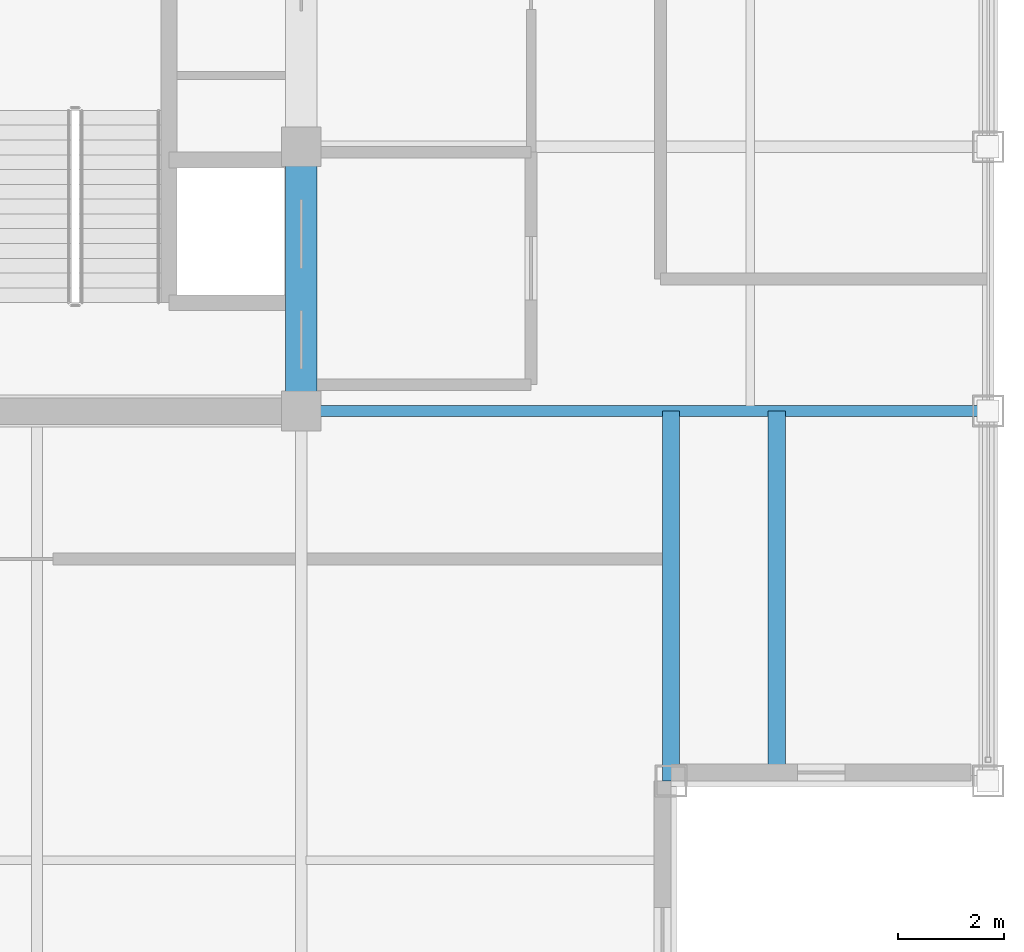
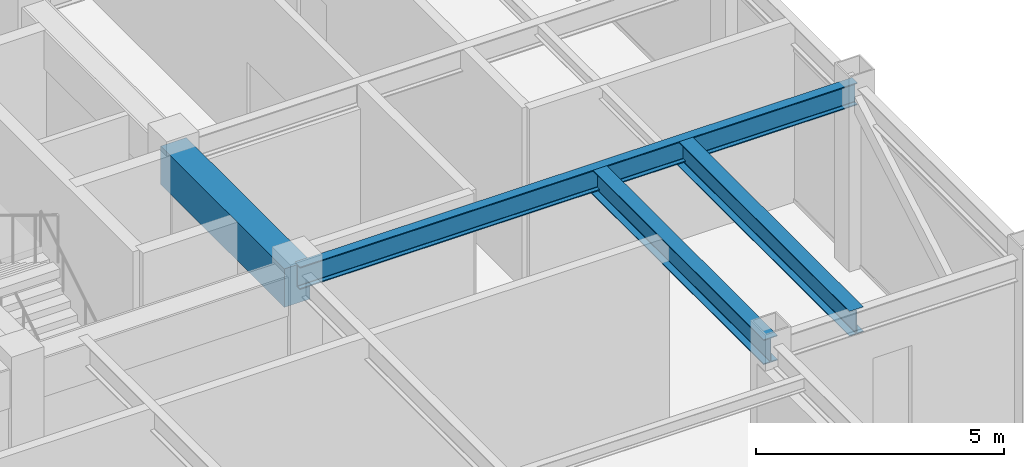
# One storey, part 9 of 27: 4 beams.
"""IFC4 building model written with IfcOpenShell, lengths in metres."""

from ifc_helpers import new_model, si_unit, direction, frame, origin, origin_2d, place, context, subcontext, project, spatial, rectangle, i_section, extrude, source, transform, mapped, material, material_profile, profile_set, type_object, element, save


model = new_model("IFC4")

# Units and contexts
model_context = context("Model", 3, precision=1e-05, world=origin(), true_north=direction((0.0, 1.0)))
body_context = subcontext(model_context, "Body", "Model", "MODEL_VIEW")
ifc_project = project(units=[si_unit("LENGTHUNIT", "METRE"), si_unit("AREAUNIT", "SQUARE_METRE"), si_unit("VOLUMEUNIT", "CUBIC_METRE"), si_unit("PLANEANGLEUNIT", "RADIAN"), si_unit("MASSUNIT", "GRAM", prefix="KILO")], contexts=[model_context])

# Site, building, storey
site_placement = place(None, origin())
site = spatial("IfcSite", under=ifc_project, at=site_placement, CompositionType="ELEMENT")
building_placement = place(site_placement, origin())
building = spatial("IfcBuilding", under=site, at=building_placement, Name="Khorayat Bourse Tower", CompositionType="ELEMENT")
storey_placement = place(building_placement, frame((0.0, 0.0, 380.300048828125)))
storey = spatial("IfcBuildingStorey", under=building, at=storey_placement, Name="L90", CompositionType="ELEMENT", Elevation=380.300048828125)

# Beams
ifc_material_1 = material(Name="Concrete C60/75", Category="concrete")
ifc_material_profile_1 = material_profile(ifc_material_1, rectangle(XDim=0.60009765625, YDim=0.949951171875, at=origin_2d()), Name="RC 600x950")
ifc_profile_set_1 = profile_set([ifc_material_profile_1], Name="Concrete C60/75")
beam_type_1 = type_object("IfcBeamType", Name="BM-COUP-950", PredefinedType="BEAM", material=ifc_profile_set_1)
shared_shape_1 = source(origin(), body_context, "Body", "SweptSolid", [
    extrude(rectangle(XDim=0.60009765625, YDim=0.949951171875, at=origin_2d()), origin(), (0.0, 0.0, 1.0), 5.0),
])
beam_1_placement = place(storey_placement, frame((11.0, -11.0, 3.974853515625), z_axis=(0.0, 1.0, 0.0), x_axis=(-1.0, 0.0, 0.0)))
element("IfcBeam", 1, at=beam_1_placement, inside=storey, type_object=beam_type_1, Name="L90 BM-COUP-950 BM-L90-CRX-13", PredefinedType="BEAM", context=body_context, shape_type="MappedRepresentation", body=[
    mapped(shared_shape_1, transform((0.0, 0.0, 0.0), scale=1.0)),
])
ifc_material_2 = material(Name="Steel ASTM A992 Grade 50", Category="steel")
ifc_material_profile_2 = material_profile(ifc_material_2, i_section(OverallWidth=0.214111328125, OverallDepth=0.549072265625, WebThickness=0.0146484375, FlangeThickness=0.023681640625, FilletRadius=0.013916015625, at=origin_2d()), Name="W530X138")
ifc_profile_set_2 = profile_set([ifc_material_profile_2], Name="Steel ASTM A992 Grade 50")
beam_type_2 = type_object("IfcBeamType", Name="BM-GIRD-530", PredefinedType="BEAM", material=ifc_profile_set_2)
shared_shape_2 = source(origin(), body_context, "Body", "SweptSolid", [
    extrude(i_section(OverallWidth=0.214111328125, OverallDepth=0.549072265625, WebThickness=0.0146484375, FlangeThickness=0.023681640625, FilletRadius=0.013916015625, at=origin_2d()), origin(), (0.0, 0.0, 1.0), 13.0),
])
beam_2_placement = place(storey_placement, frame((11.0, -11.0, 4.175537109375), z_axis=(1.0, 0.0, 0.0), x_axis=(0.0, 1.0, 0.0)))
element("IfcBeam", 2, at=beam_2_placement, inside=storey, type_object=beam_type_2, Name="L90 BM-GIRD-530 BM-L90-RADX-066", PredefinedType="BEAM", context=body_context, shape_type="MappedRepresentation", body=[
    mapped(shared_shape_2, transform((0.0, 0.0, 0.0), scale=1.0)),
])
ifc_material_profile_3 = material_profile(ifc_material_2, i_section(OverallWidth=0.324951171875, OverallDepth=0.615966796875, WebThickness=0.013916015625, FlangeThickness=0.021484375, FilletRadius=0.01611328125, at=origin_2d()), Name="W610X174")
ifc_profile_set_3 = profile_set([ifc_material_profile_3], Name="Steel ASTM A992 Grade 50")
beam_type_3 = type_object("IfcBeamType", Name="BM-GIRD-610", PredefinedType="BEAM", material=ifc_profile_set_3)
shared_shape_3 = source(origin(), body_context, "Body", "SweptSolid", [
    extrude(i_section(OverallWidth=0.324951171875, OverallDepth=0.615966796875, WebThickness=0.013916015625, FlangeThickness=0.021484375, FilletRadius=0.01611328125, at=origin_2d()), origin(), (0.0, 0.0, 1.0), 7.0),
])
for number, where, z_axis, x_axis, name in (
    (3, (18.0, -18.0, 4.141845703125), (0.0, 1.0, 0.0), (-1.0, 0.0, 0.0), "L90 BM-GIRD-610 BM-L90-CNRY-078"),
    (4, (20.0, -18.0, 4.141845703125), (0.0, 1.0, 0.0), (-1.0, 0.0, 0.0), "L90 BM-GIRD-610 BM-L90-CNRY-082"),
):
    element("IfcBeam", number, at=place(storey_placement, frame(where, z_axis=z_axis, x_axis=x_axis)), inside=storey, type_object=beam_type_3, Name=name, PredefinedType="BEAM", context=body_context, shape_type="MappedRepresentation", body=[
        mapped(shared_shape_3, transform((0.0, 0.0, 0.0), scale=1.0)),
    ])

save(model, "model.ifc")
